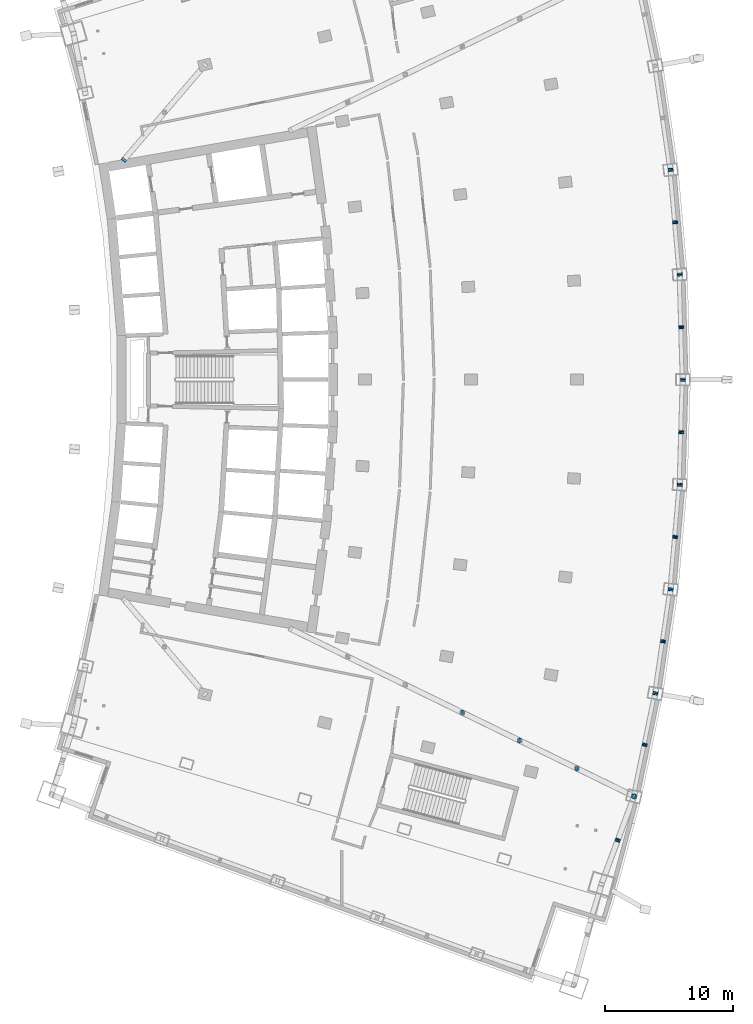
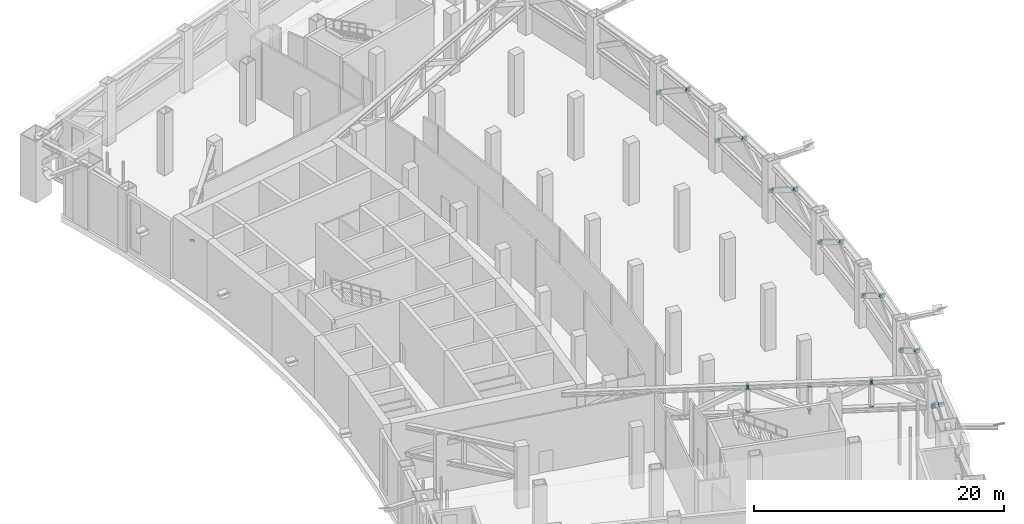
# One storey, part 23 of 26: 42 discrete accessories.
"""IFC4 building model written with IfcOpenShell, lengths in metres."""

from ifc_helpers import new_model, si_unit, direction, frame, origin, origin_2d, place, context, subcontext, project, spatial, rectangle, extrude, material, material_profile, profile_set, type_object, element, save


model = new_model("IFC4")

# Units and contexts
model_context = context("Model", 3, precision=1e-05, world=origin(), true_north=direction((0.0, 1.0)))
body_context = subcontext(model_context, "Body", "Model", "MODEL_VIEW")
ifc_project = project(units=[si_unit("LENGTHUNIT", "METRE"), si_unit("AREAUNIT", "SQUARE_METRE"), si_unit("VOLUMEUNIT", "CUBIC_METRE"), si_unit("PLANEANGLEUNIT", "RADIAN"), si_unit("MASSUNIT", "GRAM", prefix="KILO")], contexts=[model_context])

# Site, building, storey
site_placement = place(None, origin())
site = spatial("IfcSite", under=ifc_project, at=site_placement, CompositionType="ELEMENT")
building_placement = place(site_placement, origin())
building = spatial("IfcBuilding", under=site, at=building_placement, Name="Alderwake Tower", CompositionType="ELEMENT")
storey_placement = place(building_placement, frame((0.0, 0.0, 132.800048828125)))
storey = spatial("IfcBuildingStorey", under=building, at=storey_placement, Name="L32", CompositionType="ELEMENT", Elevation=132.800048828125)

# Discrete accessories
ifc_material_1 = material(Name="Steel ASTM A572 Grade 50", Category="steel")
ifc_material_profile_1 = material_profile(ifc_material_1, rectangle(XDim=0.3046875, YDim=0.3046875, at=origin_2d()), Name="HSS12X12X1/2 cap")
ifc_profile_set_1 = profile_set([ifc_material_profile_1], Name="Steel ASTM A572 Grade 50")
discrete_accessory_type_1 = type_object("IfcDiscreteAccessoryType", Name="End cap plate HSS12X12X1/2", PredefinedType="USERDEFINED", material=ifc_profile_set_1)
for number, where, z_axis, x_axis, name in (
    (1, (43.391845703125, 35.021240234375, 3.0146484375), (0.0, 0.0, -1.0), (1.0, 0.0, 0.0), "End cap OR32SF.P3 S"),
    (2, (43.391845703125, 35.021240234375, 5.21533203125), (0.0, 0.0, 1.0), (1.0, 0.0, 0.0), "End cap OR32SF.P3 N"),
    (3, (47.85791015625, 32.84423828125, 3.0146484375), (0.0, 0.0, -1.0), (1.0, 0.0, 0.0), "End cap OR32SF.P4 S"),
    (4, (47.85791015625, 32.84423828125, 5.21533203125), (0.0, 0.0, 1.0), (1.0, 0.0, 0.0), "End cap OR32SF.P4 N"),
    (5, (52.323974609375, 30.667236328125, 3.0146484375), (0.0, 0.0, -1.0), (1.0, 0.0, 0.0), "End cap OR32SF.P5 S"),
    (6, (52.323974609375, 30.667236328125, 5.21533203125), (0.0, 0.0, 1.0), (1.0, 0.0, 0.0), "End cap OR32SF.P5 N"),
):
    element("IfcDiscreteAccessory", number, at=place(storey_placement, frame(where, z_axis=z_axis, x_axis=x_axis)), inside=storey, type_object=discrete_accessory_type_1, Name=name, ObjectType="END CAP", PredefinedType="USERDEFINED", context=body_context, shape_type="SweptSolid", body=[
        extrude(rectangle(XDim=0.3046875, YDim=0.3046875, at=origin_2d()), origin(), (0.0, 0.0, 1.0), 0.030029296875),
    ])
ifc_material_2 = material(Name="Steel ASTM A572 Grade 50", Category="steel")
ifc_material_profile_2 = material_profile(ifc_material_2, rectangle(XDim=0.406494140625, YDim=0.406494140625, at=origin_2d()), Name="HSS16X16X5/8 cap")
ifc_profile_set_2 = profile_set([ifc_material_profile_2], Name="Steel ASTM A572 Grade 50")
discrete_accessory_type_2 = type_object("IfcDiscreteAccessoryType", Name="End cap plate HSS16X16X5/8", PredefinedType="USERDEFINED", material=ifc_profile_set_2)
for number, where, z_axis, x_axis, name in (
    (7, (55.518310546875, 25.0615234375, 5.44775390625), (0.285222904398, 0.757878003115, 0.586744260476), (-0.935914955392, 0.352226058481, 0.0), "End cap BT32F02.D1 N"),
    (8, (56.789794921875, 28.490234375, 2.7822265625), (0.285222904398, 0.757878003115, -0.586744260476), (-0.935914955392, 0.352226058481, 0.0), "End cap BT32F02.D2 S"),
):
    element("IfcDiscreteAccessory", number, at=place(storey_placement, frame(where, z_axis=z_axis, x_axis=x_axis)), inside=storey, type_object=discrete_accessory_type_2, Name=name, ObjectType="END CAP", PredefinedType="USERDEFINED", context=body_context, shape_type="SweptSolid", body=[
        extrude(rectangle(XDim=0.406494140625, YDim=0.406494140625, at=origin_2d()), origin(), (0.0, 0.0, 1.0), 0.030029296875),
    ])
discrete_accessory_1_placement = place(storey_placement, frame((55.518310546875, 25.0615234375, 5.44775390625), z_axis=(-0.277710683441, -0.759620398824, 0.588093211993), x_axis=(0.939202304561, -0.343364283388, 0.0)))
element("IfcDiscreteAccessory", 9, at=discrete_accessory_1_placement, inside=storey, type_object=discrete_accessory_type_2, Name="End cap BT32F02.D2 N", ObjectType="END CAP", PredefinedType="USERDEFINED", context=body_context, shape_type="SweptSolid", body=[
    extrude(rectangle(XDim=0.406494140625, YDim=0.406494140625, at=origin_2d()), origin(), (0.0, 0.0, 1.0), 0.02978515625),
])
discrete_accessory_2_placement = place(storey_placement, frame((56.789794921875, 28.490234375, 2.7822265625), z_axis=(-0.162811611813, -0.822198639654, -0.545418899572), x_axis=(0.98095245073, -0.194248010046, 0.0)))
element("IfcDiscreteAccessory", 10, at=discrete_accessory_2_placement, inside=storey, type_object=discrete_accessory_type_2, Name="End cap BT32F03.D1 S", ObjectType="END CAP", PredefinedType="USERDEFINED", context=body_context, shape_type="SweptSolid", body=[
    extrude(rectangle(XDim=0.406494140625, YDim=0.406494140625, at=origin_2d()), origin(), (0.0, 0.0, 1.0), 0.030029296875),
])
for number, where, z_axis, x_axis, name in (
    (11, (57.621337890625, 32.50537109375, 5.44775390625), (0.171865771079, 0.81840843371, 0.548333650585), (-0.978653496602, 0.205517234286, 0.0), "End cap BT32F03.D1 N"),
    (12, (58.45263671875, 36.5205078125, 2.7822265625), (0.171865771079, 0.81840843371, -0.548333650585), (-0.978653496602, 0.205517234286, 0.0), "End cap BT32F03.D2 S"),
):
    element("IfcDiscreteAccessory", number, at=place(storey_placement, frame(where, z_axis=z_axis, x_axis=x_axis)), inside=storey, type_object=discrete_accessory_type_2, Name=name, ObjectType="END CAP", PredefinedType="USERDEFINED", context=body_context, shape_type="SweptSolid", body=[
        extrude(rectangle(XDim=0.406494140625, YDim=0.406494140625, at=origin_2d()), origin(), (0.0, 0.0, 1.0), 0.02978515625),
    ])
for number, where, z_axis, x_axis, name in (
    (13, (57.621337890625, 32.50537109375, 5.44775390625), (-0.170720423374, -0.821083940987, 0.544679446001), (0.979060989404, -0.203567136411, 0.0), "End cap BT32F03.D2 N"),
    (14, (58.45263671875, 36.5205078125, 2.7822265625), (-0.121995577876, -0.829569929557, -0.544913581179), (0.989359135365, -0.145493990495, 0.0), "End cap BT32F04.D1 S"),
    (15, (59.04833984375, 40.5771484375, 5.44775390625), (0.121995577876, 0.829569929557, 0.544913581179), (-0.989359135365, 0.145493990495, 0.0), "End cap BT32F04.D1 N"),
    (16, (59.644287109375, 44.6337890625, 2.7822265625), (0.121995577876, 0.829569929557, -0.544913581179), (-0.989359135365, 0.145493990495, 0.0), "End cap BT32F04.D2 S"),
    (17, (59.04833984375, 40.5771484375, 5.44775390625), (-0.121995577876, -0.829569929557, 0.544913581179), (0.989359135365, -0.145493990495, 0.0), "End cap BT32F04.D2 N"),
):
    element("IfcDiscreteAccessory", number, at=place(storey_placement, frame(where, z_axis=z_axis, x_axis=x_axis)), inside=storey, type_object=discrete_accessory_type_2, Name=name, ObjectType="END CAP", PredefinedType="USERDEFINED", context=body_context, shape_type="SweptSolid", body=[
        extrude(rectangle(XDim=0.406494140625, YDim=0.406494140625, at=origin_2d()), origin(), (0.0, 0.0, 1.0), 0.030029296875),
    ])
for number, where, z_axis, x_axis, name in (
    (18, (59.644287109375, 44.6337890625, 2.7822265625), (-0.073548461929, -0.833549235199, -0.547527438807), (0.996129850025, -0.087893810296, 0.0), "End cap BT32F05.D1 S"),
    (19, (60.00244140625, 48.718505859375, 5.44775390625), (0.073548461929, 0.833549235199, 0.547527438807), (-0.996129850025, 0.087893810296, 0.0), "End cap BT32F05.D1 N"),
):
    element("IfcDiscreteAccessory", number, at=place(storey_placement, frame(where, z_axis=z_axis, x_axis=x_axis)), inside=storey, type_object=discrete_accessory_type_2, Name=name, ObjectType="END CAP", PredefinedType="USERDEFINED", context=body_context, shape_type="SweptSolid", body=[
        extrude(rectangle(XDim=0.406494140625, YDim=0.406494140625, at=origin_2d()), origin(), (0.0, 0.0, 1.0), 0.02978515625),
    ])
for number, where, z_axis, x_axis, name in (
    (20, (60.36083984375, 52.802978515625, 2.7822265625), (0.073050119204, 0.836018030887, -0.543817554072), (-0.996204208519, 0.087046969676, 0.0), "End cap BT32F05.D2 S"),
    (21, (60.00244140625, 48.718505859375, 5.44775390625), (-0.073050119204, -0.836018030887, 0.543817554072), (0.996204208519, -0.087046969676, 0.0), "End cap BT32F05.D2 N"),
    (22, (60.36083984375, 52.802978515625, 2.7822265625), (-0.024407996936, -0.8380078948, -0.545111931569), (0.999576101528, -0.029113867035, 0.0), "End cap BT32F06.D1 S"),
):
    element("IfcDiscreteAccessory", number, at=place(storey_placement, frame(where, z_axis=z_axis, x_axis=x_axis)), inside=storey, type_object=discrete_accessory_type_2, Name=name, ObjectType="END CAP", PredefinedType="USERDEFINED", context=body_context, shape_type="SweptSolid", body=[
        extrude(rectangle(XDim=0.406494140625, YDim=0.406494140625, at=origin_2d()), origin(), (0.0, 0.0, 1.0), 0.030029296875),
    ])
discrete_accessory_3_placement = place(storey_placement, frame((60.48046875, 56.901611328125, 5.44775390625), z_axis=(0.024575308321, 0.835560482926, 0.54884855251), x_axis=(-0.999567754464, 0.029399051602, 0.0)))
element("IfcDiscreteAccessory", 23, at=discrete_accessory_3_placement, inside=storey, type_object=discrete_accessory_type_2, Name="End cap BT32F06.D1 N", ObjectType="END CAP", PredefinedType="USERDEFINED", context=body_context, shape_type="SweptSolid", body=[
    extrude(rectangle(XDim=0.406494140625, YDim=0.406494140625, at=origin_2d()), origin(), (0.0, 0.0, 1.0), 0.02978515625),
])
for number, where, z_axis, x_axis, name in (
    (24, (60.60009765625, 61.0, 2.7822265625), (0.016274691417, 0.838146607974, -0.545202162469), (-0.999811534111, 0.019413816196, 0.0), "End cap BT32F06.D2 S"),
    (25, (60.48046875, 56.901611328125, 5.44775390625), (-0.024407996936, -0.8380078948, 0.545111931569), (0.999576101528, -0.029113867035, 0.0), "End cap BT32F06.D2 N"),
    (26, (60.60009765625, 61.0, 2.7822265625), (0.016274691417, -0.838146607974, -0.545202162469), (0.999811534111, 0.019413816196, 0.0), "End cap BT32F07.D1 S"),
    (27, (60.48046875, 65.098388671875, 5.44775390625), (-0.024407996936, 0.8380078948, 0.545111931569), (-0.999576101528, -0.029113867035, 0.0), "End cap BT32F07.D1 N"),
    (28, (60.36083984375, 69.197021484375, 2.7822265625), (-0.024407996936, 0.8380078948, -0.545111931569), (-0.999576101528, -0.029113867035, 0.0), "End cap BT32F07.D2 S"),
):
    element("IfcDiscreteAccessory", number, at=place(storey_placement, frame(where, z_axis=z_axis, x_axis=x_axis)), inside=storey, type_object=discrete_accessory_type_2, Name=name, ObjectType="END CAP", PredefinedType="USERDEFINED", context=body_context, shape_type="SweptSolid", body=[
        extrude(rectangle(XDim=0.406494140625, YDim=0.406494140625, at=origin_2d()), origin(), (0.0, 0.0, 1.0), 0.030029296875),
    ])
discrete_accessory_4_placement = place(storey_placement, frame((60.48046875, 65.098388671875, 5.44775390625), z_axis=(0.024575308321, -0.835560482926, 0.54884855251), x_axis=(0.999567754464, 0.029399051602, 0.0)))
element("IfcDiscreteAccessory", 29, at=discrete_accessory_4_placement, inside=storey, type_object=discrete_accessory_type_2, Name="End cap BT32F07.D2 N", ObjectType="END CAP", PredefinedType="USERDEFINED", context=body_context, shape_type="SweptSolid", body=[
    extrude(rectangle(XDim=0.406494140625, YDim=0.406494140625, at=origin_2d()), origin(), (0.0, 0.0, 1.0), 0.02978515625),
])
for number, where, z_axis, x_axis, name in (
    (30, (60.36083984375, 69.197021484375, 2.7822265625), (0.073050119204, -0.836018030887, -0.543817554072), (0.996204208519, 0.087046969676, 0.0), "End cap BT32F08.D1 S"),
    (31, (60.00244140625, 73.281494140625, 5.44775390625), (-0.073050119204, 0.836018030887, 0.543817554072), (-0.996204208519, -0.087046969676, 0.0), "End cap BT32F08.D1 N"),
):
    element("IfcDiscreteAccessory", number, at=place(storey_placement, frame(where, z_axis=z_axis, x_axis=x_axis)), inside=storey, type_object=discrete_accessory_type_2, Name=name, ObjectType="END CAP", PredefinedType="USERDEFINED", context=body_context, shape_type="SweptSolid", body=[
        extrude(rectangle(XDim=0.406494140625, YDim=0.406494140625, at=origin_2d()), origin(), (0.0, 0.0, 1.0), 0.030029296875),
    ])
for number, where, z_axis, x_axis, name in (
    (32, (59.644287109375, 77.3662109375, 2.7822265625), (-0.073548461929, 0.833549235199, -0.547527438807), (-0.996129850025, -0.087893810296, 0.0), "End cap BT32F08.D2 S"),
    (33, (60.00244140625, 73.281494140625, 5.44775390625), (0.073548461929, -0.833549235199, 0.547527438807), (0.996129850025, 0.087893810296, 0.0), "End cap BT32F08.D2 N"),
):
    element("IfcDiscreteAccessory", number, at=place(storey_placement, frame(where, z_axis=z_axis, x_axis=x_axis)), inside=storey, type_object=discrete_accessory_type_2, Name=name, ObjectType="END CAP", PredefinedType="USERDEFINED", context=body_context, shape_type="SweptSolid", body=[
        extrude(rectangle(XDim=0.406494140625, YDim=0.406494140625, at=origin_2d()), origin(), (0.0, 0.0, 1.0), 0.02978515625),
    ])
discrete_accessory_5_placement = place(storey_placement, frame((59.644287109375, 77.3662109375, 2.7822265625), z_axis=(0.121995577876, -0.829569929557, -0.544913581179), x_axis=(0.989359135365, 0.145493990495, 0.0)))
element("IfcDiscreteAccessory", 34, at=discrete_accessory_5_placement, inside=storey, type_object=discrete_accessory_type_2, Name="End cap BT32F09.D1 S", ObjectType="END CAP", PredefinedType="USERDEFINED", context=body_context, shape_type="SweptSolid", body=[
    extrude(rectangle(XDim=0.406494140625, YDim=0.406494140625, at=origin_2d()), origin(), (0.0, 0.0, 1.0), 0.030029296875),
])
discrete_accessory_6_placement = place(storey_placement, frame((43.391845703125, 35.021240234375, 5.44775390625), z_axis=(0.79300900323, -0.388412573011, 0.469331859054), x_axis=(0.43986744881, 0.898062707987, 0.0)))
element("IfcDiscreteAccessory", 35, at=discrete_accessory_6_placement, inside=storey, type_object=discrete_accessory_type_2, Name="End cap OR32SF.D3 N", ObjectType="END CAP", PredefinedType="USERDEFINED", context=body_context, shape_type="SweptSolid", body=[
    extrude(rectangle(XDim=0.406494140625, YDim=0.406494140625, at=origin_2d()), origin(), (0.0, 0.0, 1.0), 0.0302734375),
])
discrete_accessory_7_placement = place(storey_placement, frame((47.85791015625, 32.84423828125, 2.7822265625), z_axis=(0.789976672146, -0.390916291371, -0.472357185407), x_axis=(0.443513828814, 0.896267529062, 0.0)))
element("IfcDiscreteAccessory", 36, at=discrete_accessory_7_placement, inside=storey, type_object=discrete_accessory_type_2, Name="End cap OR32SF.D4 S", ObjectType="END CAP", PredefinedType="USERDEFINED", context=body_context, shape_type="SweptSolid", body=[
    extrude(rectangle(XDim=0.406494140625, YDim=0.406494140625, at=origin_2d()), origin(), (0.0, 0.0, 1.0), 0.030029296875),
])
discrete_accessory_8_placement = place(storey_placement, frame((43.391845703125, 35.021240234375, 5.44775390625), z_axis=(-0.792477312619, 0.383983852506, 0.473852413731), x_axis=(-0.436045864409, -0.899924443568, 0.0)))
element("IfcDiscreteAccessory", 37, at=discrete_accessory_8_placement, inside=storey, type_object=discrete_accessory_type_2, Name="End cap OR32SF.D4 N", ObjectType="END CAP", PredefinedType="USERDEFINED", context=body_context, shape_type="SweptSolid", body=[
    extrude(rectangle(XDim=0.406494140625, YDim=0.406494140625, at=origin_2d()), origin(), (0.0, 0.0, 1.0), 0.02978515625),
])
for number, where, z_axis, x_axis, name in (
    (38, (47.85791015625, 32.84423828125, 2.7822265625), (-0.795487040134, 0.381509090676, -0.470798452324), (-0.432431931953, -0.901666581519, 0.0), "End cap OR32SF.D5 S"),
    (39, (52.323974609375, 30.667236328125, 5.44775390625), (0.789976672146, -0.390916291371, 0.472357185407), (0.443513828814, 0.896267529062, 0.0), "End cap OR32SF.D5 N"),
):
    element("IfcDiscreteAccessory", number, at=place(storey_placement, frame(where, z_axis=z_axis, x_axis=x_axis)), inside=storey, type_object=discrete_accessory_type_2, Name=name, ObjectType="END CAP", PredefinedType="USERDEFINED", context=body_context, shape_type="SweptSolid", body=[
        extrude(rectangle(XDim=0.406494140625, YDim=0.406494140625, at=origin_2d()), origin(), (0.0, 0.0, 1.0), 0.030029296875),
    ])
discrete_accessory_9_placement = place(storey_placement, frame((56.789794921875, 28.490234375, 2.7822265625), z_axis=(0.79300900323, -0.388412573011, -0.469331859054), x_axis=(0.43986744881, 0.898062707987, 0.0)))
element("IfcDiscreteAccessory", 40, at=discrete_accessory_9_placement, inside=storey, type_object=discrete_accessory_type_2, Name="End cap OR32SF.D6 S", ObjectType="END CAP", PredefinedType="USERDEFINED", context=body_context, shape_type="SweptSolid", body=[
    extrude(rectangle(XDim=0.406494140625, YDim=0.406494140625, at=origin_2d()), origin(), (0.0, 0.0, 1.0), 0.0302734375),
])
for number, where, z_axis, x_axis, name in (
    (41, (52.323974609375, 30.667236328125, 5.44775390625), (-0.795487040134, 0.381509090676, 0.470798452324), (-0.432431931953, -0.901666581519, 0.0), "End cap OR32SF.D6 N"),
    (42, (16.99560546875, 78.149658203125, 2.7822265625), (-0.569557631324, -0.667196082408, -0.48005571783), (0.760564502202, -0.649262379928, 0.0), "End cap OR32NR.D1 S"),
):
    element("IfcDiscreteAccessory", number, at=place(storey_placement, frame(where, z_axis=z_axis, x_axis=x_axis)), inside=storey, type_object=discrete_accessory_type_2, Name=name, ObjectType="END CAP", PredefinedType="USERDEFINED", context=body_context, shape_type="SweptSolid", body=[
        extrude(rectangle(XDim=0.406494140625, YDim=0.406494140625, at=origin_2d()), origin(), (0.0, 0.0, 1.0), 0.030029296875),
    ])

save(model, "model.ifc")
